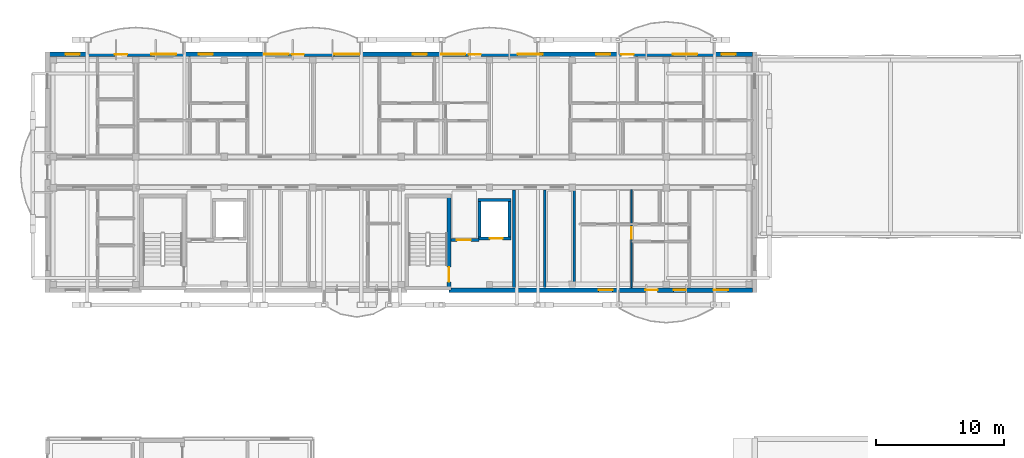
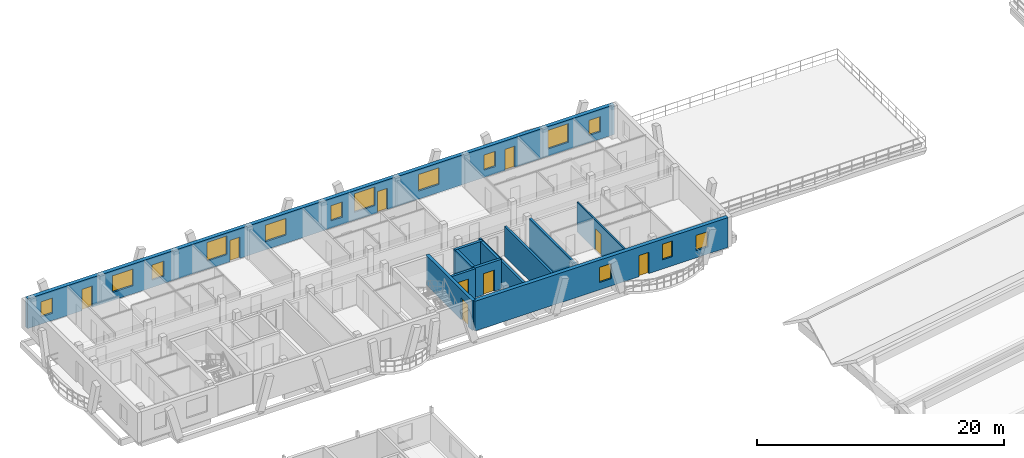
# One storey, part 74 of 109: 14 windows, 12 walls, 9 doors, 23 openings.
"""IFC4 building model written with IfcOpenShell, lengths in metres."""

from ifc_helpers import new_model, si_unit, direction, frame, frame_2d, origin, origin_with_axes, place, context, subcontext, project, spatial, rectangle, extrude, material, layer, layer_set, type_object, element, fill, save


model = new_model("IFC4")

# Units and contexts
model_context = context("Model", 3, precision=1e-05, world=origin(), true_north=direction((0.0, 1.0)))
body_context = subcontext(model_context, "Body", "Model", "MODEL_VIEW")
ifc_project = project(units=[si_unit("LENGTHUNIT", "METRE"), si_unit("AREAUNIT", "SQUARE_METRE"), si_unit("VOLUMEUNIT", "CUBIC_METRE"), si_unit("PLANEANGLEUNIT", "RADIAN"), si_unit("MASSUNIT", "GRAM", prefix="KILO")], contexts=[model_context])

# Site, building, storey
site_placement = place(None, origin())
site = spatial("IfcSite", under=ifc_project, at=site_placement, CompositionType="ELEMENT")
building_placement = place(site_placement, origin())
building = spatial("IfcBuilding", under=site, at=building_placement, Name="Zavelmont Quarter", CompositionType="ELEMENT")
storey_placement = place(building_placement, frame((0.0, 0.0, 8.0)))
storey = spatial("IfcBuildingStorey", under=building, at=storey_placement, Name="L02", CompositionType="ELEMENT", Elevation=8.0)

# Wall, openings, door, windows
ifc_material_1 = material(Name="Natural Belgian limestone", Category="masonry")
ifc_layer_1 = layer(ifc_material_1, 0.360107421875)
ifc_layer_set_1 = layer_set([ifc_layer_1], Name="Natural Belgian limestone")
wall_type_1 = type_object("IfcWallType", Name="EW02", PredefinedType="STANDARD", material=ifc_layer_set_1)
wall_1_placement = place(storey_placement, frame((31.35009765625, 97.60009765625, 0.0), z_axis=(0.0, 0.0, 1.0), x_axis=(1.0, 0.0, 0.0)))
wall_1 = element("IfcWall", 1, at=wall_1_placement, inside=storey, type_object=wall_type_1, Name="L02 exterior limestone wall EW02", PredefinedType="STANDARD", context=body_context, shape_type="SweptSolid", body=[
    extrude(rectangle(XDim=23.679931640625, YDim=0.360107421875, at=frame_2d((11.83984375, 0.0))), origin(), (0.0, 0.0, 1.0), 2.93994140625),
])
opening_1_placement = place(wall_1_placement, frame((15.320068359375, 0.0, 0.0)))
opening_1 = element("IfcOpeningElement", 2, at=opening_1_placement, cuts=wall_1, Name="Opening DR04", PredefinedType="OPENING", context=body_context, shape_type="SweptSolid", body=[
    extrude(rectangle(XDim=0.949951171875, YDim=2.10009765625, at=frame_2d((0.47509765625, 1.050048828125))), frame((0.0, 0.19189453125, 0.0), z_axis=(0.0, -1.0, 0.0), x_axis=(1.0, 0.0, 0.0)), (0.0, 0.0, 1.0), 0.384033203125),
])
opening_2_placement = place(wall_1_placement, frame((11.669921875, 0.0, 0.719970703125)))
opening_2 = element("IfcOpeningElement", 3, at=opening_2_placement, cuts=wall_1, Name="Opening WN09", PredefinedType="OPENING", context=body_context, shape_type="SweptSolid", body=[
    extrude(rectangle(XDim=1.10009765625, YDim=1.5, at=frame_2d((0.550048828125, 0.75))), frame((0.0, 0.19189453125, 0.0), z_axis=(0.0, -1.0, 0.0), x_axis=(1.0, 0.0, 0.0)), (0.0, 0.0, 1.0), 0.384033203125),
])
opening_3_placement = place(wall_1_placement, frame((17.52001953125, 0.0, 0.89990234375)))
opening_3 = element("IfcOpeningElement", 4, at=opening_3_placement, cuts=wall_1, Name="Opening WN04", PredefinedType="OPENING", context=body_context, shape_type="SweptSolid", body=[
    extrude(rectangle(XDim=0.949951171875, YDim=1.550048828125, at=frame_2d((0.47509765625, 0.77490234375))), frame((0.0, 0.19189453125, 0.0), z_axis=(0.0, -1.0, 0.0), x_axis=(1.0, 0.0, 0.0)), (0.0, 0.0, 1.0), 0.384033203125),
])
opening_4_placement = place(wall_1_placement, frame((20.669921875, 0.0, 0.719970703125)))
opening_4 = element("IfcOpeningElement", 5, at=opening_4_placement, cuts=wall_1, Name="Opening WN09", PredefinedType="OPENING", context=body_context, shape_type="SweptSolid", body=[
    extrude(rectangle(XDim=1.10009765625, YDim=1.5, at=frame_2d((0.550048828125, 0.75))), frame((0.0, 0.19189453125, 0.0), z_axis=(0.0, -1.0, 0.0), x_axis=(1.0, 0.0, 0.0)), (0.0, 0.0, 1.0), 0.384033203125),
])
ifc_material_2 = material(Name="Thermally broken aluminium and double safety glass", Category="aluminium")
door_type_1 = type_object("IfcDoorType", Name="DR04", OperationType="NOTDEFINED", PredefinedType="DOOR", material=ifc_material_2)
door_1_placement = place(opening_1_placement, origin_with_axes())
door_1 = element("IfcDoor", 6, at=door_1_placement, inside=storey, type_object=door_type_1, Name="Block B L02 glazed balcony door", OperationType="SINGLE_SWING_RIGHT", OverallHeight=2.10009765625, OverallWidth=0.949951171875, PredefinedType="DOOR", context=body_context, shape_type="SweptSolid", body=[
    extrude(rectangle(XDim=0.949951171875, YDim=2.10009765625, at=frame_2d((0.47509765625, 1.050048828125))), frame((0.0, 0.02490234375, 0.0), z_axis=(0.0, -1.0, 0.0), x_axis=(1.0, 0.0, 0.0)), (0.0, 0.0, 1.0), 0.050048828125),
])
fill(opening_1, door_1)
ifc_material_3 = material(Name="Double low-E insulated glazing in thermally broken aluminium frame", Category="aluminium")
window_type_1 = type_object("IfcWindowType", Name="WN04", PartitioningType="SINGLE_PANEL", PredefinedType="WINDOW", material=ifc_material_3)
window_1_placement = place(opening_3_placement, origin_with_axes())
window_1 = element("IfcWindow", 7, at=window_1_placement, inside=storey, type_object=window_type_1, Name="L02 window WN04", OverallHeight=1.550048828125, OverallWidth=0.949951171875, PartitioningType="SINGLE_PANEL", PredefinedType="WINDOW", context=body_context, shape_type="SweptSolid", body=[
    extrude(rectangle(XDim=0.949951171875, YDim=1.550048828125, at=frame_2d((0.47509765625, 0.77490234375))), frame((0.0, 0.030029296875, 0.0), z_axis=(0.0, -1.0, 0.0), x_axis=(1.0, 0.0, 0.0)), (0.0, 0.0, 1.0), 0.06005859375),
])
fill(opening_3, window_1)
window_type_2 = type_object("IfcWindowType", Name="WN09", PartitioningType="SINGLE_PANEL", PredefinedType="WINDOW", material=ifc_material_3)
window_2_placement = place(opening_2_placement, origin_with_axes())
window_2 = element("IfcWindow", 8, at=window_2_placement, inside=storey, type_object=window_type_2, Name="L02 window WN09", OverallHeight=1.5, OverallWidth=1.10009765625, PartitioningType="SINGLE_PANEL", PredefinedType="WINDOW", context=body_context, shape_type="SweptSolid", body=[
    extrude(rectangle(XDim=1.10009765625, YDim=1.5, at=frame_2d((0.550048828125, 0.75))), frame((0.0, 0.030029296875, 0.0), z_axis=(0.0, -1.0, 0.0), x_axis=(1.0, 0.0, 0.0)), (0.0, 0.0, 1.0), 0.06005859375),
])
fill(opening_2, window_2)
window_3_placement = place(opening_4_placement, origin_with_axes())
window_3 = element("IfcWindow", 9, at=window_3_placement, inside=storey, type_object=window_type_2, Name="L02 window WN09", OverallHeight=1.5, OverallWidth=1.10009765625, PartitioningType="SINGLE_PANEL", PredefinedType="WINDOW", context=body_context, shape_type="SweptSolid", body=[
    extrude(rectangle(XDim=1.10009765625, YDim=1.5, at=frame_2d((0.550048828125, 0.75))), frame((0.0, 0.030029296875, 0.0), z_axis=(0.0, -1.0, 0.0), x_axis=(1.0, 0.0, 0.0)), (0.0, 0.0, 1.0), 0.06005859375),
])
fill(opening_4, window_3)

# Wall, openings, doors, windows
wall_2_placement = place(storey_placement, frame((0.169921875, 116.0, 0.0), z_axis=(0.0, 0.0, 1.0), x_axis=(1.0, 0.0, 0.0)))
wall_2 = element("IfcWall", 10, at=wall_2_placement, inside=storey, type_object=wall_type_1, Name="L02 exterior limestone wall EW02", PredefinedType="STANDARD", context=body_context, shape_type="SweptSolid", body=[
    extrude(rectangle(XDim=54.860107421875, YDim=0.360107421875, at=frame_2d((27.43017578125, 0.0))), origin(), (0.0, 0.0, 1.0), 2.93994140625),
])
opening_5_placement = place(wall_2_placement, frame((5.10009765625, 0.0, 0.0)))
opening_5 = element("IfcOpeningElement", 11, at=opening_5_placement, cuts=wall_2, Name="Opening DR04", PredefinedType="OPENING", context=body_context, shape_type="SweptSolid", body=[
    extrude(rectangle(XDim=0.949951171875, YDim=2.10009765625, at=frame_2d((0.47509765625, 1.050048828125))), frame((0.0, 0.19189453125, 0.0), z_axis=(0.0, -1.0, 0.0), x_axis=(1.0, 0.0, 0.0)), (0.0, 0.0, 1.0), 0.384033203125),
])
opening_6_placement = place(wall_2_placement, frame((18.90380859375, 0.0, 0.0)))
opening_6 = element("IfcOpeningElement", 12, at=opening_6_placement, cuts=wall_2, Name="Opening DR04", PredefinedType="OPENING", context=body_context, shape_type="SweptSolid", body=[
    extrude(rectangle(XDim=0.949951171875, YDim=2.10009765625, at=frame_2d((0.47509765625, 1.050048828125))), frame((0.0, 0.19189453125, 0.0), z_axis=(0.0, -1.0, 0.0), x_axis=(1.0, 0.0, 0.0)), (0.0, 0.0, 1.0), 0.384033203125),
])
opening_7_placement = place(wall_2_placement, frame((32.703857421875, 0.0, 0.0)))
opening_7 = element("IfcOpeningElement", 13, at=opening_7_placement, cuts=wall_2, Name="Opening DR04", PredefinedType="OPENING", context=body_context, shape_type="SweptSolid", body=[
    extrude(rectangle(XDim=0.949951171875, YDim=2.10009765625, at=frame_2d((0.47509765625, 1.050048828125))), frame((0.0, 0.19189453125, 0.0), z_axis=(0.0, -1.0, 0.0), x_axis=(1.0, 0.0, 0.0)), (0.0, 0.0, 1.0), 0.384033203125),
])
opening_8_placement = place(wall_2_placement, frame((44.625732421875, 0.0, 0.0)))
opening_8 = element("IfcOpeningElement", 14, at=opening_8_placement, cuts=wall_2, Name="Opening DR04", PredefinedType="OPENING", context=body_context, shape_type="SweptSolid", body=[
    extrude(rectangle(XDim=0.949951171875, YDim=2.10009765625, at=frame_2d((0.47509765625, 1.050048828125))), frame((0.0, 0.19189453125, 0.0), z_axis=(0.0, -1.0, 0.0), x_axis=(1.0, 0.0, 0.0)), (0.0, 0.0, 1.0), 0.384033203125),
])
opening_9_placement = place(wall_2_placement, frame((1.25, 0.0, 0.719970703125)))
opening_9 = element("IfcOpeningElement", 15, at=opening_9_placement, cuts=wall_2, Name="Opening WN09", PredefinedType="OPENING", context=body_context, shape_type="SweptSolid", body=[
    extrude(rectangle(XDim=1.10009765625, YDim=1.5, at=frame_2d((0.550048828125, 0.75))), frame((0.0, 0.19189453125, 0.0), z_axis=(0.0, -1.0, 0.0), x_axis=(1.0, 0.0, 0.0)), (0.0, 0.0, 1.0), 0.384033203125),
])
opening_10_placement = place(wall_2_placement, frame((7.925048828125, 0.0, 0.800048828125)))
opening_10 = element("IfcOpeningElement", 16, at=opening_10_placement, cuts=wall_2, Name="Opening WN24", PredefinedType="OPENING", context=body_context, shape_type="SweptSolid", body=[
    extrude(rectangle(XDim=1.949951171875, YDim=1.64990234375, at=frame_2d((0.97509765625, 0.824951171875))), frame((0.0, 0.19189453125, 0.0), z_axis=(0.0, -1.0, 0.0), x_axis=(1.0, 0.0, 0.0)), (0.0, 0.0, 1.0), 0.384033203125),
])
opening_11_placement = place(wall_2_placement, frame((11.64990234375, 0.0, 0.719970703125)))
opening_11 = element("IfcOpeningElement", 17, at=opening_11_placement, cuts=wall_2, Name="Opening WN09", PredefinedType="OPENING", context=body_context, shape_type="SweptSolid", body=[
    extrude(rectangle(XDim=1.10009765625, YDim=1.5, at=frame_2d((0.550048828125, 0.75))), frame((0.0, 0.19189453125, 0.0), z_axis=(0.0, -1.0, 0.0), x_axis=(1.0, 0.0, 0.0)), (0.0, 0.0, 1.0), 0.384033203125),
])
opening_12_placement = place(wall_2_placement, frame((16.75, 0.0, 0.800048828125)))
opening_12 = element("IfcOpeningElement", 18, at=opening_12_placement, cuts=wall_2, Name="Opening WN20", PredefinedType="OPENING", context=body_context, shape_type="SweptSolid", body=[
    extrude(rectangle(XDim=1.89990234375, YDim=1.85009765625, at=frame_2d((0.949951171875, 0.925048828125))), frame((0.0, 0.19189453125, 0.0), z_axis=(0.0, -1.0, 0.0), x_axis=(1.0, 0.0, 0.0)), (0.0, 0.0, 1.0), 0.384033203125),
])
opening_13_placement = place(wall_2_placement, frame((22.22509765625, 0.0, 0.800048828125)))
opening_13 = element("IfcOpeningElement", 19, at=opening_13_placement, cuts=wall_2, Name="Opening WN24", PredefinedType="OPENING", context=body_context, shape_type="SweptSolid", body=[
    extrude(rectangle(XDim=1.949951171875, YDim=1.64990234375, at=frame_2d((0.97509765625, 0.824951171875))), frame((0.0, 0.19189453125, 0.0), z_axis=(0.0, -1.0, 0.0), x_axis=(1.0, 0.0, 0.0)), (0.0, 0.0, 1.0), 0.384033203125),
])
opening_14_placement = place(wall_2_placement, frame((28.35009765625, 0.0, 0.719970703125)))
opening_14 = element("IfcOpeningElement", 20, at=opening_14_placement, cuts=wall_2, Name="Opening WN09", PredefinedType="OPENING", context=body_context, shape_type="SweptSolid", body=[
    extrude(rectangle(XDim=1.10009765625, YDim=1.5, at=frame_2d((0.550048828125, 0.75))), frame((0.0, 0.19189453125, 0.0), z_axis=(0.0, -1.0, 0.0), x_axis=(1.0, 0.0, 0.0)), (0.0, 0.0, 1.0), 0.384033203125),
])
opening_15_placement = place(wall_2_placement, frame((30.550048828125, 0.0, 0.800048828125)))
opening_15 = element("IfcOpeningElement", 21, at=opening_15_placement, cuts=wall_2, Name="Opening WN20", PredefinedType="OPENING", context=body_context, shape_type="SweptSolid", body=[
    extrude(rectangle(XDim=1.89990234375, YDim=1.85009765625, at=frame_2d((0.949951171875, 0.925048828125))), frame((0.0, 0.19189453125, 0.0), z_axis=(0.0, -1.0, 0.0), x_axis=(1.0, 0.0, 0.0)), (0.0, 0.0, 1.0), 0.384033203125),
])
opening_16_placement = place(wall_2_placement, frame((36.52490234375, 0.0, 0.800048828125)))
opening_16 = element("IfcOpeningElement", 22, at=opening_16_placement, cuts=wall_2, Name="Opening WN24", PredefinedType="OPENING", context=body_context, shape_type="SweptSolid", body=[
    extrude(rectangle(XDim=1.949951171875, YDim=1.64990234375, at=frame_2d((0.97509765625, 0.824951171875))), frame((0.0, 0.19189453125, 0.0), z_axis=(0.0, -1.0, 0.0), x_axis=(1.0, 0.0, 0.0)), (0.0, 0.0, 1.0), 0.384033203125),
])
opening_17_placement = place(wall_2_placement, frame((42.64990234375, 0.0, 0.719970703125)))
opening_17 = element("IfcOpeningElement", 23, at=opening_17_placement, cuts=wall_2, Name="Opening WN09", PredefinedType="OPENING", context=body_context, shape_type="SweptSolid", body=[
    extrude(rectangle(XDim=1.10009765625, YDim=1.5, at=frame_2d((0.550048828125, 0.75))), frame((0.0, 0.19189453125, 0.0), z_axis=(0.0, -1.0, 0.0), x_axis=(1.0, 0.0, 0.0)), (0.0, 0.0, 1.0), 0.384033203125),
])
opening_18_placement = place(wall_2_placement, frame((48.64990234375, 0.0, 0.719970703125)))
opening_18 = element("IfcOpeningElement", 24, at=opening_18_placement, cuts=wall_2, Name="Opening WN20", PredefinedType="OPENING", context=body_context, shape_type="SweptSolid", body=[
    extrude(rectangle(XDim=1.89990234375, YDim=1.85009765625, at=frame_2d((0.949951171875, 0.925048828125))), frame((0.0, 0.19189453125, 0.0), z_axis=(0.0, -1.0, 0.0), x_axis=(1.0, 0.0, 0.0)), (0.0, 0.0, 1.0), 0.384033203125),
])
opening_19_placement = place(wall_2_placement, frame((52.449951171875, 0.0, 0.719970703125)))
opening_19 = element("IfcOpeningElement", 25, at=opening_19_placement, cuts=wall_2, Name="Opening WN09", PredefinedType="OPENING", context=body_context, shape_type="SweptSolid", body=[
    extrude(rectangle(XDim=1.10009765625, YDim=1.5, at=frame_2d((0.550048828125, 0.75))), frame((0.0, 0.19189453125, 0.0), z_axis=(0.0, -1.0, 0.0), x_axis=(1.0, 0.0, 0.0)), (0.0, 0.0, 1.0), 0.384033203125),
])
door_2_placement = place(opening_5_placement, frame((0.949951171875, 0.0, 0.0), z_axis=(0.0, 0.0, 1.0), x_axis=(-1.0, 0.0, 0.0)))
door_2 = element("IfcDoor", 26, at=door_2_placement, inside=storey, type_object=door_type_1, Name="Block B L02 glazed balcony door", OperationType="SINGLE_SWING_LEFT", OverallHeight=2.10009765625, OverallWidth=0.949951171875, PredefinedType="DOOR", context=body_context, shape_type="SweptSolid", body=[
    extrude(rectangle(XDim=0.949951171875, YDim=2.10009765625, at=frame_2d((0.47509765625, 1.050048828125))), frame((0.0, 0.02490234375, 0.0), z_axis=(0.0, -1.0, 0.0), x_axis=(1.0, 0.0, 0.0)), (0.0, 0.0, 1.0), 0.050048828125),
])
fill(opening_5, door_2)
door_3_placement = place(opening_6_placement, frame((0.949951171875, 0.0, 0.0), z_axis=(0.0, 0.0, 1.0), x_axis=(-1.0, 0.0, 0.0)))
door_3 = element("IfcDoor", 27, at=door_3_placement, inside=storey, type_object=door_type_1, Name="Block B L02 glazed balcony door", OperationType="SINGLE_SWING_LEFT", OverallHeight=2.10009765625, OverallWidth=0.949951171875, PredefinedType="DOOR", context=body_context, shape_type="SweptSolid", body=[
    extrude(rectangle(XDim=0.949951171875, YDim=2.10009765625, at=frame_2d((0.47509765625, 1.050048828125))), frame((0.0, 0.02490234375, 0.0), z_axis=(0.0, -1.0, 0.0), x_axis=(1.0, 0.0, 0.0)), (0.0, 0.0, 1.0), 0.050048828125),
])
fill(opening_6, door_3)
door_4_placement = place(opening_7_placement, frame((0.949951171875, 0.0, 0.0), z_axis=(0.0, 0.0, 1.0), x_axis=(-1.0, 0.0, 0.0)))
door_4 = element("IfcDoor", 28, at=door_4_placement, inside=storey, type_object=door_type_1, Name="Block B L02 glazed balcony door", OperationType="SINGLE_SWING_LEFT", OverallHeight=2.10009765625, OverallWidth=0.949951171875, PredefinedType="DOOR", context=body_context, shape_type="SweptSolid", body=[
    extrude(rectangle(XDim=0.949951171875, YDim=2.10009765625, at=frame_2d((0.47509765625, 1.050048828125))), frame((0.0, 0.02490234375, 0.0), z_axis=(0.0, -1.0, 0.0), x_axis=(1.0, 0.0, 0.0)), (0.0, 0.0, 1.0), 0.050048828125),
])
fill(opening_7, door_4)
door_5_placement = place(opening_8_placement, frame((0.949951171875, 0.0, 0.0), z_axis=(0.0, 0.0, 1.0), x_axis=(-1.0, 0.0, 0.0)))
door_5 = element("IfcDoor", 29, at=door_5_placement, inside=storey, type_object=door_type_1, Name="Block B L02 glazed balcony door", OperationType="SINGLE_SWING_LEFT", OverallHeight=2.10009765625, OverallWidth=0.949951171875, PredefinedType="DOOR", context=body_context, shape_type="SweptSolid", body=[
    extrude(rectangle(XDim=0.949951171875, YDim=2.10009765625, at=frame_2d((0.47509765625, 1.050048828125))), frame((0.0, 0.02490234375, 0.0), z_axis=(0.0, -1.0, 0.0), x_axis=(1.0, 0.0, 0.0)), (0.0, 0.0, 1.0), 0.050048828125),
])
fill(opening_8, door_5)
window_4_placement = place(opening_9_placement, origin_with_axes())
window_4 = element("IfcWindow", 30, at=window_4_placement, inside=storey, type_object=window_type_2, Name="L02 window WN09", OverallHeight=1.5, OverallWidth=1.10009765625, PartitioningType="SINGLE_PANEL", PredefinedType="WINDOW", context=body_context, shape_type="SweptSolid", body=[
    extrude(rectangle(XDim=1.10009765625, YDim=1.5, at=frame_2d((0.550048828125, 0.75))), frame((0.0, 0.030029296875, 0.0), z_axis=(0.0, -1.0, 0.0), x_axis=(1.0, 0.0, 0.0)), (0.0, 0.0, 1.0), 0.06005859375),
])
fill(opening_9, window_4)
window_5_placement = place(opening_11_placement, origin_with_axes())
window_5 = element("IfcWindow", 31, at=window_5_placement, inside=storey, type_object=window_type_2, Name="L02 window WN09", OverallHeight=1.5, OverallWidth=1.10009765625, PartitioningType="SINGLE_PANEL", PredefinedType="WINDOW", context=body_context, shape_type="SweptSolid", body=[
    extrude(rectangle(XDim=1.10009765625, YDim=1.5, at=frame_2d((0.550048828125, 0.75))), frame((0.0, 0.030029296875, 0.0), z_axis=(0.0, -1.0, 0.0), x_axis=(1.0, 0.0, 0.0)), (0.0, 0.0, 1.0), 0.06005859375),
])
fill(opening_11, window_5)
window_6_placement = place(opening_14_placement, origin_with_axes())
window_6 = element("IfcWindow", 32, at=window_6_placement, inside=storey, type_object=window_type_2, Name="L02 window WN09", OverallHeight=1.5, OverallWidth=1.10009765625, PartitioningType="SINGLE_PANEL", PredefinedType="WINDOW", context=body_context, shape_type="SweptSolid", body=[
    extrude(rectangle(XDim=1.10009765625, YDim=1.5, at=frame_2d((0.550048828125, 0.75))), frame((0.0, 0.030029296875, 0.0), z_axis=(0.0, -1.0, 0.0), x_axis=(1.0, 0.0, 0.0)), (0.0, 0.0, 1.0), 0.06005859375),
])
fill(opening_14, window_6)
window_7_placement = place(opening_17_placement, origin_with_axes())
window_7 = element("IfcWindow", 33, at=window_7_placement, inside=storey, type_object=window_type_2, Name="L02 window WN09", OverallHeight=1.5, OverallWidth=1.10009765625, PartitioningType="SINGLE_PANEL", PredefinedType="WINDOW", context=body_context, shape_type="SweptSolid", body=[
    extrude(rectangle(XDim=1.10009765625, YDim=1.5, at=frame_2d((0.550048828125, 0.75))), frame((0.0, 0.030029296875, 0.0), z_axis=(0.0, -1.0, 0.0), x_axis=(1.0, 0.0, 0.0)), (0.0, 0.0, 1.0), 0.06005859375),
])
fill(opening_17, window_7)
window_8_placement = place(opening_19_placement, origin_with_axes())
window_8 = element("IfcWindow", 34, at=window_8_placement, inside=storey, type_object=window_type_2, Name="L02 window WN09", OverallHeight=1.5, OverallWidth=1.10009765625, PartitioningType="SINGLE_PANEL", PredefinedType="WINDOW", context=body_context, shape_type="SweptSolid", body=[
    extrude(rectangle(XDim=1.10009765625, YDim=1.5, at=frame_2d((0.550048828125, 0.75))), frame((0.0, 0.030029296875, 0.0), z_axis=(0.0, -1.0, 0.0), x_axis=(1.0, 0.0, 0.0)), (0.0, 0.0, 1.0), 0.06005859375),
])
fill(opening_19, window_8)
window_type_3 = type_object("IfcWindowType", Name="WN20", PartitioningType="SINGLE_PANEL", PredefinedType="WINDOW", material=ifc_material_3)
window_9_placement = place(opening_12_placement, origin_with_axes())
window_9 = element("IfcWindow", 35, at=window_9_placement, inside=storey, type_object=window_type_3, Name="L02 window WN20", OverallHeight=1.85009765625, OverallWidth=1.89990234375, PartitioningType="SINGLE_PANEL", PredefinedType="WINDOW", context=body_context, shape_type="SweptSolid", body=[
    extrude(rectangle(XDim=1.89990234375, YDim=1.85009765625, at=frame_2d((0.949951171875, 0.925048828125))), frame((0.0, 0.030029296875, 0.0), z_axis=(0.0, -1.0, 0.0), x_axis=(1.0, 0.0, 0.0)), (0.0, 0.0, 1.0), 0.06005859375),
])
fill(opening_12, window_9)
window_10_placement = place(opening_15_placement, origin_with_axes())
window_10 = element("IfcWindow", 36, at=window_10_placement, inside=storey, type_object=window_type_3, Name="L02 window WN20", OverallHeight=1.85009765625, OverallWidth=1.89990234375, PartitioningType="SINGLE_PANEL", PredefinedType="WINDOW", context=body_context, shape_type="SweptSolid", body=[
    extrude(rectangle(XDim=1.89990234375, YDim=1.85009765625, at=frame_2d((0.949951171875, 0.925048828125))), frame((0.0, 0.030029296875, 0.0), z_axis=(0.0, -1.0, 0.0), x_axis=(1.0, 0.0, 0.0)), (0.0, 0.0, 1.0), 0.06005859375),
])
fill(opening_15, window_10)
window_11_placement = place(opening_18_placement, origin_with_axes())
window_11 = element("IfcWindow", 37, at=window_11_placement, inside=storey, type_object=window_type_3, Name="L02 window WN20", OverallHeight=1.85009765625, OverallWidth=1.89990234375, PartitioningType="SINGLE_PANEL", PredefinedType="WINDOW", context=body_context, shape_type="SweptSolid", body=[
    extrude(rectangle(XDim=1.89990234375, YDim=1.85009765625, at=frame_2d((0.949951171875, 0.925048828125))), frame((0.0, 0.030029296875, 0.0), z_axis=(0.0, -1.0, 0.0), x_axis=(1.0, 0.0, 0.0)), (0.0, 0.0, 1.0), 0.06005859375),
])
fill(opening_18, window_11)
window_type_4 = type_object("IfcWindowType", Name="WN24", PartitioningType="SINGLE_PANEL", PredefinedType="WINDOW", material=ifc_material_3)
window_12_placement = place(opening_10_placement, origin_with_axes())
window_12 = element("IfcWindow", 38, at=window_12_placement, inside=storey, type_object=window_type_4, Name="L02 window WN24", OverallHeight=1.64990234375, OverallWidth=1.949951171875, PartitioningType="SINGLE_PANEL", PredefinedType="WINDOW", context=body_context, shape_type="SweptSolid", body=[
    extrude(rectangle(XDim=1.949951171875, YDim=1.64990234375, at=frame_2d((0.97509765625, 0.824951171875))), frame((0.0, 0.030029296875, 0.0), z_axis=(0.0, -1.0, 0.0), x_axis=(1.0, 0.0, 0.0)), (0.0, 0.0, 1.0), 0.06005859375),
])
fill(opening_10, window_12)
window_13_placement = place(opening_13_placement, origin_with_axes())
window_13 = element("IfcWindow", 39, at=window_13_placement, inside=storey, type_object=window_type_4, Name="L02 window WN24", OverallHeight=1.64990234375, OverallWidth=1.949951171875, PartitioningType="SINGLE_PANEL", PredefinedType="WINDOW", context=body_context, shape_type="SweptSolid", body=[
    extrude(rectangle(XDim=1.949951171875, YDim=1.64990234375, at=frame_2d((0.97509765625, 0.824951171875))), frame((0.0, 0.030029296875, 0.0), z_axis=(0.0, -1.0, 0.0), x_axis=(1.0, 0.0, 0.0)), (0.0, 0.0, 1.0), 0.06005859375),
])
fill(opening_13, window_13)
window_14_placement = place(opening_16_placement, origin_with_axes())
window_14 = element("IfcWindow", 40, at=window_14_placement, inside=storey, type_object=window_type_4, Name="L02 window WN24", OverallHeight=1.64990234375, OverallWidth=1.949951171875, PartitioningType="SINGLE_PANEL", PredefinedType="WINDOW", context=body_context, shape_type="SweptSolid", body=[
    extrude(rectangle(XDim=1.949951171875, YDim=1.64990234375, at=frame_2d((0.97509765625, 0.824951171875))), frame((0.0, 0.030029296875, 0.0), z_axis=(0.0, -1.0, 0.0), x_axis=(1.0, 0.0, 0.0)), (0.0, 0.0, 1.0), 0.06005859375),
])
fill(opening_16, window_14)

# Walls
ifc_material_4 = material(Name="Calcium-silicate blockwork and acoustic plaster", Category="masonry")
ifc_layer_2 = layer(ifc_material_4, 0.199951171875)
ifc_layer_set_2 = layer_set([ifc_layer_2], Name="Calcium-silicate blockwork and acoustic plaster")
wall_type_2 = type_object("IfcWallType", Name="IW01", PredefinedType="PARTITIONING", material=ifc_layer_set_2)
for number, where, z_axis, x_axis, name in (
    (41, (38.824951171875, 97.800048828125, 0.0), (0.0, 0.0, 1.0), (0.0, 1.0, 0.0), "L02 Service riser divider wall IW01"),
    (42, (41.1201171875, 97.800048828125, 0.0), (0.0, 0.0, 1.0), (0.0, 1.0, 0.0), "L02 Core service end wall IW01"),
):
    element("IfcWall", number, at=place(storey_placement, frame(where, z_axis=z_axis, x_axis=x_axis)), inside=storey, type_object=wall_type_2, Name=name, PredefinedType="PARTITIONING", context=body_context, shape_type="SweptSolid", body=[
        extrude(rectangle(XDim=7.599853515625, YDim=0.199951171875, at=frame_2d((3.7998046875, 0.0))), origin(), (0.0, 0.0, 1.0), 2.93994140625),
    ])
ifc_material_5 = material(Name="Reinforced masonry fire compartment wall", Category="masonry")
ifc_layer_3 = layer(ifc_material_5, 0.22509765625)
ifc_layer_set_3 = layer_set([ifc_layer_3], Name="Reinforced masonry fire compartment wall")
wall_type_3 = type_object("IfcWallType", Name="IW02", PredefinedType="PARTITIONING", material=ifc_layer_set_3)
wall_3_placement = place(storey_placement, frame((36.409912109375, 97.800048828125, 0.0), z_axis=(0.0, 0.0, 1.0), x_axis=(0.0, 1.0, 0.0)))
element("IfcWall", 43, at=wall_3_placement, inside=storey, type_object=wall_type_3, Name="L02 Firefighting lobby enclosure wall IW02", PredefinedType="PARTITIONING", context=body_context, shape_type="SweptSolid", body=[
    extrude(rectangle(XDim=7.599853515625, YDim=0.22509765625, at=frame_2d((3.7998046875, 0.0))), origin(), (0.0, 0.0, 1.0), 2.590087890625),
])

# Wall, opening, door
wall_4_placement = place(storey_placement, frame((31.5, 101.5, 0.0), z_axis=(0.0, 0.0, 1.0), x_axis=(1.0, 0.0, 0.0)))
wall_4 = element("IfcWall", 44, at=wall_4_placement, inside=storey, type_object=wall_type_3, Name="L02 Firefighting lobby threshold wall IW02", PredefinedType="PARTITIONING", context=body_context, shape_type="SweptSolid", body=[
    extrude(rectangle(XDim=2.199951171875, YDim=0.22509765625, at=frame_2d((1.10009765625, 0.0))), origin(), (0.0, 0.0, 1.0), 2.93994140625),
])
opening_20_placement = place(wall_4_placement, frame((0.449951171875, 0.0, 0.0)))
opening_20 = element("IfcOpeningElement", 45, at=opening_20_placement, cuts=wall_4, Name="Opening DR10", PredefinedType="OPENING", context=body_context, shape_type="SweptSolid", body=[
    extrude(rectangle(XDim=1.10009765625, YDim=2.14990234375, at=frame_2d((0.550048828125, 1.074951171875))), frame((0.0, 0.12451171875, 0.0), z_axis=(0.0, -1.0, 0.0), x_axis=(1.0, 0.0, 0.0)), (0.0, 0.0, 1.0), 0.2490234375),
])
ifc_material_6 = material(Name="Painted steel lobby fire door", Category="steel")
door_type_2 = type_object("IfcDoorType", Name="DR10", OperationType="NOTDEFINED", PredefinedType="DOOR", material=ifc_material_6)
door_6_placement = place(opening_20_placement, frame((1.10009765625, 0.0, 0.0), z_axis=(0.0, 0.0, 1.0), x_axis=(-1.0, 0.0, 0.0)))
door_6 = element("IfcDoor", 46, at=door_6_placement, inside=storey, type_object=door_type_2, Name="Firefighting lobby fire door", OperationType="SINGLE_SWING_LEFT", OverallHeight=2.14990234375, OverallWidth=1.10009765625, PredefinedType="DOOR", context=body_context, shape_type="SweptSolid", body=[
    extrude(rectangle(XDim=1.10009765625, YDim=2.14990234375, at=frame_2d((0.550048828125, 1.074951171875))), frame((0.0, 0.02490234375, 0.0), z_axis=(0.0, -1.0, 0.0), x_axis=(1.0, 0.0, 0.0)), (0.0, 0.0, 1.0), 0.050048828125),
])
fill(opening_20, door_6)

ifc_material_7 = material(Name="Double gypsum board on acoustic steel stud", Category="steel")
ifc_layer_4 = layer(ifc_material_7, 0.125)
ifc_layer_set_4 = layer_set([ifc_layer_4], Name="Double gypsum board on acoustic steel stud")
wall_type_4 = type_object("IfcWallType", Name="IW03", PredefinedType="PARTITIONING", material=ifc_layer_set_4)
wall_5_placement = place(storey_placement, frame((45.60009765625, 105.449951171875, 0.0), z_axis=(0.0, 0.0, 1.0), x_axis=(0.0, -1.0, 0.0)))
wall_5 = element("IfcWall", 47, at=wall_5_placement, inside=storey, type_object=wall_type_4, Name="L02 Partition IW03", PredefinedType="PARTITIONING", context=body_context, shape_type="SweptSolid", body=[
    extrude(rectangle(XDim=7.64990234375, YDim=0.125, at=frame_2d((3.824951171875, 0.0))), origin(), (0.0, 0.0, 1.0), 2.93994140625),
])
opening_21_placement = place(wall_5_placement, frame((2.949951171875, 0.0, 0.0)))
opening_21 = element("IfcOpeningElement", 48, at=opening_21_placement, cuts=wall_5, Name="Opening DR05", PredefinedType="OPENING", context=body_context, shape_type="SweptSolid", body=[
    extrude(rectangle(XDim=0.89990234375, YDim=2.10009765625, at=frame_2d((0.449951171875, 1.050048828125))), frame((0.0, 0.074462890625, 0.0), z_axis=(0.0, -1.0, 0.0), x_axis=(1.0, 0.0, 0.0)), (0.0, 0.0, 1.0), 0.14892578125),
])
ifc_material_8 = material(Name="Engineered oak flush interior door")
door_type_3 = type_object("IfcDoorType", Name="DR05", OperationType="NOTDEFINED", PredefinedType="DOOR", material=ifc_material_8)
door_7_placement = place(opening_21_placement, origin_with_axes())
door_7 = element("IfcDoor", 49, at=door_7_placement, inside=storey, type_object=door_type_3, Name="L02 door DR05", OperationType="SINGLE_SWING_RIGHT", OverallHeight=2.10009765625, OverallWidth=0.89990234375, PredefinedType="DOOR", context=body_context, shape_type="SweptSolid", body=[
    extrude(rectangle(XDim=0.89990234375, YDim=2.10009765625, at=frame_2d((0.449951171875, 1.050048828125))), frame((0.0, 0.02490234375, 0.0), z_axis=(0.0, -1.0, 0.0), x_axis=(1.0, 0.0, 0.0)), (0.0, 0.0, 1.0), 0.050048828125),
])
fill(opening_21, door_7)

ifc_material_9 = material(Name="Concrete C40/50", Category="concrete")
ifc_layer_5 = layer(ifc_material_9, 0.300048828125)
ifc_layer_set_5 = layer_set([ifc_layer_5], Name="Concrete C40/50")
wall_type_5 = type_object("IfcWallType", Name="SW01", PredefinedType="SHEAR", material=ifc_layer_set_5)
wall_6_placement = place(storey_placement, frame((31.35009765625, 97.60009765625, 0.0), z_axis=(0.0, 0.0, 1.0), x_axis=(0.0, 1.0, 0.0)))
wall_6 = element("IfcWall", 50, at=wall_6_placement, inside=storey, type_object=wall_type_5, Name="L02 ST04 lobby shear wall SW01", PredefinedType="SHEAR", context=body_context, shape_type="SweptSolid", body=[
    extrude(rectangle(XDim=7.5, YDim=0.300048828125, at=frame_2d((3.75, 0.0))), origin(), (0.0, 0.0, 1.0), 2.93994140625),
])
opening_22_placement = place(wall_6_placement, frame((0.64990234375, 0.0, 0.0)))
opening_22 = element("IfcOpeningElement", 51, at=opening_22_placement, cuts=wall_6, Name="Opening DR09", PredefinedType="OPENING", context=body_context, shape_type="SweptSolid", body=[
    extrude(rectangle(XDim=1.14990234375, YDim=2.14990234375, at=frame_2d((0.574951171875, 1.074951171875))), frame((0.0, 0.162109375, 0.0), z_axis=(0.0, -1.0, 0.0), x_axis=(1.0, 0.0, 0.0)), (0.0, 0.0, 1.0), 0.323974609375),
])
ifc_material_10 = material(Name="Painted steel stair-core fire door", Category="steel")
door_type_4 = type_object("IfcDoorType", Name="DR09", OperationType="NOTDEFINED", PredefinedType="DOOR", material=ifc_material_10)
door_8_placement = place(opening_22_placement, origin_with_axes())
door_8 = element("IfcDoor", 52, at=door_8_placement, inside=storey, type_object=door_type_4, Name="ST04 protected stair door", OperationType="SINGLE_SWING_RIGHT", OverallHeight=2.14990234375, OverallWidth=1.14990234375, PredefinedType="DOOR", context=body_context, shape_type="SweptSolid", body=[
    extrude(rectangle(XDim=1.14990234375, YDim=2.14990234375, at=frame_2d((0.574951171875, 1.074951171875))), frame((0.0, 0.02490234375, 0.0), z_axis=(0.0, -1.0, 0.0), x_axis=(1.0, 0.0, 0.0)), (0.0, 0.0, 1.0), 0.050048828125),
])
fill(opening_22, door_8)

ifc_layer_6 = layer(ifc_material_9, 0.25)
ifc_layer_set_6 = layer_set([ifc_layer_6], Name="Concrete C40/50")
wall_type_6 = type_object("IfcWallType", Name="SW02", PredefinedType="SHEAR", material=ifc_layer_set_6)
wall_7_placement = place(storey_placement, frame((33.60009765625, 101.625, 0.0), z_axis=(0.0, 0.0, 1.0), x_axis=(1.0, 0.0, 0.0)))
wall_7 = element("IfcWall", 53, at=wall_7_placement, inside=storey, type_object=wall_type_6, Name="L02 Lift LF04 landing shaft wall SW02", PredefinedType="SHEAR", context=body_context, shape_type="SweptSolid", body=[
    extrude(rectangle(XDim=2.599853515625, YDim=0.25, at=frame_2d((1.2998046875, 0.0))), origin(), (0.0, 0.0, 1.0), 2.93994140625),
])
opening_23_placement = place(wall_7_placement, frame((0.925048828125, 0.0, 0.0)))
opening_23 = element("IfcOpeningElement", 54, at=opening_23_placement, cuts=wall_7, Name="Opening LD01", PredefinedType="OPENING", context=body_context, shape_type="SweptSolid", body=[
    extrude(rectangle(XDim=1.0, YDim=2.10009765625, at=frame_2d((0.5, 1.050048828125))), frame((0.0, 0.136962890625, 0.0), z_axis=(0.0, -1.0, 0.0), x_axis=(1.0, 0.0, 0.0)), (0.0, 0.0, 1.0), 0.27392578125),
])
ifc_material_11 = material(Name="Brushed stainless-steel automatic sliding landing door", Category="steel")
door_type_5 = type_object("IfcDoorType", Name="LD01", OperationType="SLIDING_TO_LEFT", PredefinedType="DOOR", material=ifc_material_11)
door_9_placement = place(opening_23_placement, origin_with_axes())
door_9 = element("IfcDoor", 55, at=door_9_placement, inside=storey, type_object=door_type_5, Name="Lift LF04 sliding landing door", OperationType="SLIDING_TO_LEFT", OverallHeight=2.10009765625, OverallWidth=1.0, PredefinedType="DOOR", context=body_context, shape_type="SweptSolid", body=[
    extrude(rectangle(XDim=1.0, YDim=2.10009765625, at=frame_2d((0.5, 1.050048828125))), frame((0.0, 0.02490234375, 0.0), z_axis=(0.0, -1.0, 0.0), x_axis=(1.0, 0.0, 0.0)), (0.0, 0.0, 1.0), 0.050048828125),
])
fill(opening_23, door_9)

# Walls
wall_8_placement = place(storey_placement, frame((33.60009765625, 104.625, 0.0), z_axis=(0.0, 0.0, 1.0), x_axis=(1.0, 0.0, 0.0)))
element("IfcWall", 56, at=wall_8_placement, inside=storey, type_object=wall_type_6, Name="L02 Lift LF04 back shaft wall SW02", PredefinedType="SHEAR", context=body_context, shape_type="SweptSolid", body=[
    extrude(rectangle(XDim=2.599853515625, YDim=0.25, at=frame_2d((1.2998046875, 0.0))), origin(), (0.0, 0.0, 1.0), 2.93994140625),
])
for number, where, z_axis, x_axis, name in (
    (57, (33.72509765625, 101.5, 0.0), (0.0, 0.0, 1.0), (0.0, 1.0, 0.0), "L02 Lift LF04 west shaft wall SW02"),
    (58, (36.074951171875, 101.5, 0.0), (0.0, 0.0, 1.0), (0.0, 1.0, 0.0), "L02 Lift LF04 east shaft wall SW02"),
):
    element("IfcWall", number, at=place(storey_placement, frame(where, z_axis=z_axis, x_axis=x_axis)), inside=storey, type_object=wall_type_6, Name=name, PredefinedType="SHEAR", context=body_context, shape_type="SweptSolid", body=[
        extrude(rectangle(XDim=3.25, YDim=0.25, at=frame_2d((1.625, 0.0))), origin(), (0.0, 0.0, 1.0), 2.93994140625),
    ])

save(model, "model.ifc")
